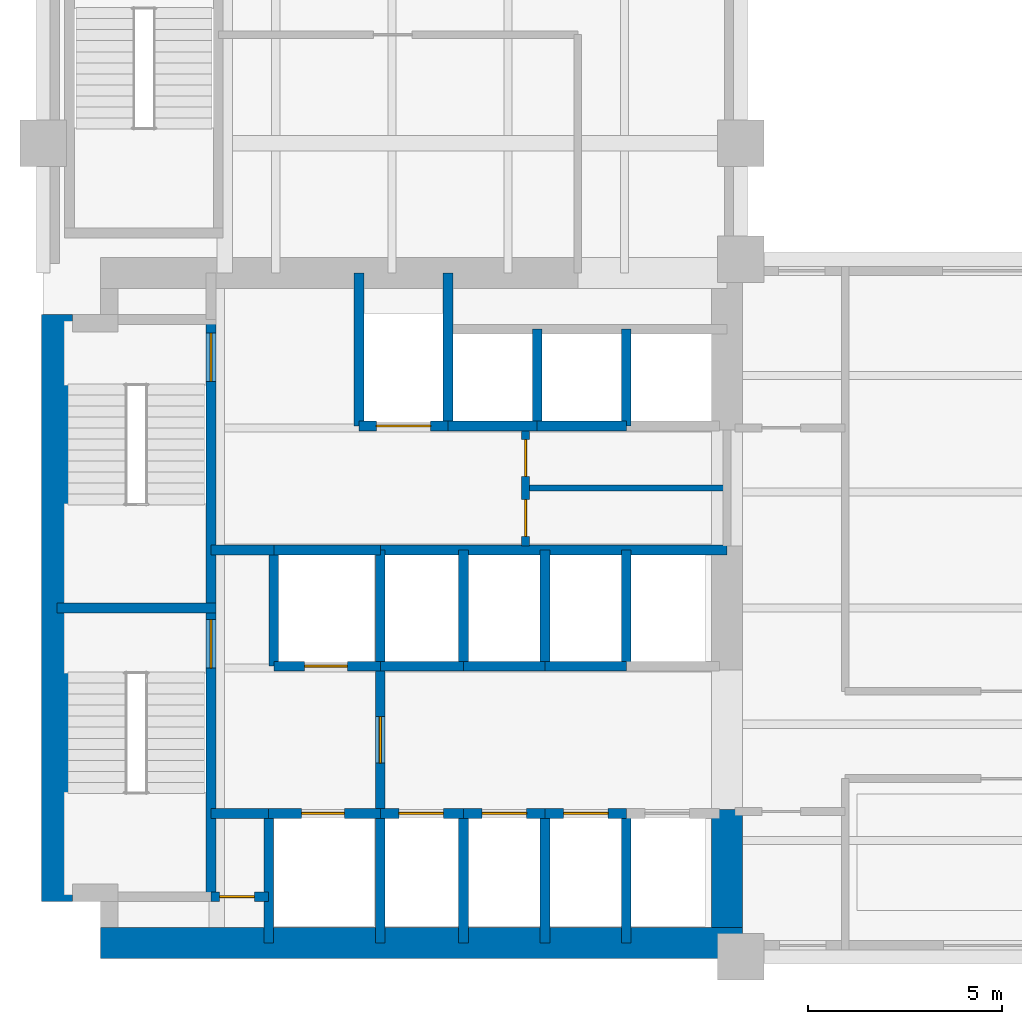
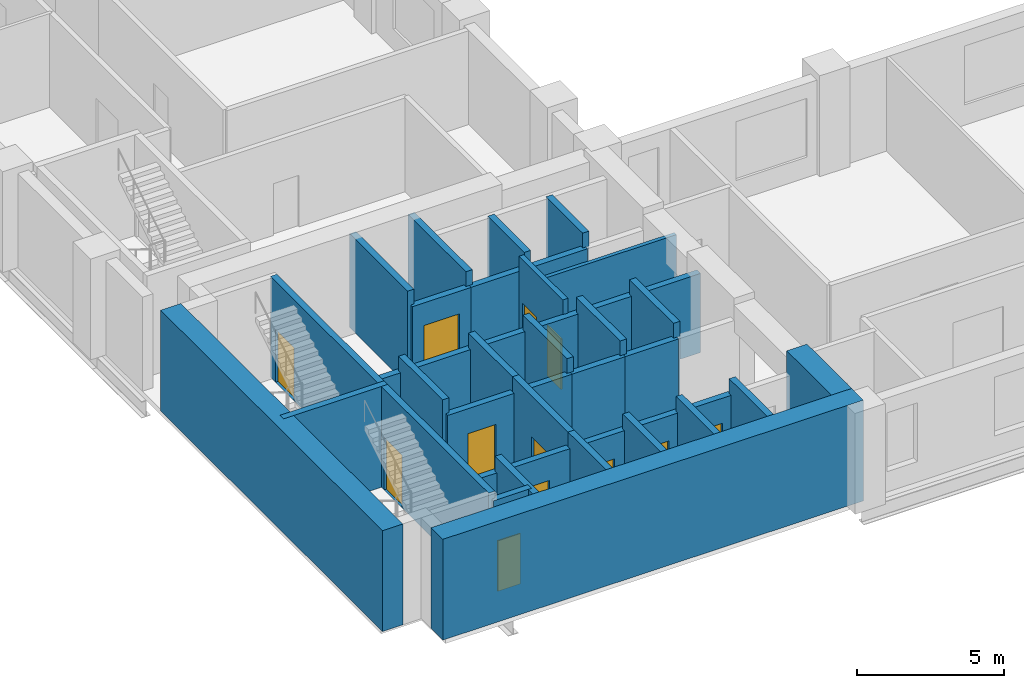
# One storey, part 3 of 7: 39 walls, 12 doors, 12 openings.
"""IFC4 building model written with IfcOpenShell, lengths in metres."""

from ifc_helpers import new_model, si_unit, direction, frame, frame_2d, origin, place, context, subcontext, project, spatial, rectangle, extrude, material, layer, layer_set, type_object, element, fill, save


model = new_model("IFC4")

# Units and contexts
model_context = context("Model", 3, precision=1e-05, world=origin(), true_north=direction((0.0, 1.0)))
body_context = subcontext(model_context, "Body", "Model", "MODEL_VIEW")
ifc_project = project(units=[si_unit("LENGTHUNIT", "METRE"), si_unit("AREAUNIT", "SQUARE_METRE"), si_unit("VOLUMEUNIT", "CUBIC_METRE"), si_unit("PLANEANGLEUNIT", "RADIAN"), si_unit("MASSUNIT", "GRAM", prefix="KILO")], contexts=[model_context])

# Site, building, storey
site_placement = place(None, origin())
site = spatial("IfcSite", under=ifc_project, at=site_placement, CompositionType="ELEMENT")
building_placement = place(site_placement, origin())
building = spatial("IfcBuilding", under=site, at=building_placement, Name="Mawjdan Bourse Tower", CompositionType="ELEMENT")
storey_placement = place(building_placement, frame((0.0, 0.0, 80.39990234375)))
storey = spatial("IfcBuildingStorey", under=building, at=storey_placement, Name="L18", CompositionType="ELEMENT", Elevation=80.39990234375)

# Wall, openings, doors
ifc_material_1 = material(Name="Gypsum Fireboard Assembly")
ifc_layer_1 = layer(ifc_material_1, 0.199951171875)
ifc_layer_set_1 = layer_set([ifc_layer_1], Name="Gypsum Fireboard Assembly")
wall_type_1 = type_object("IfcWallType", Name="WL-CMP-200", PredefinedType="PARTITIONING", material=ifc_layer_set_1)
wall_1_placement = place(storey_placement, frame((18.449951171875, 13.60009765625, 0.0), z_axis=(0.0, 0.0, 1.0), x_axis=(0.0, 1.0, 0.0)))
wall_1 = element("IfcWall", 1, at=wall_1_placement, inside=storey, type_object=wall_type_1, Name="L18 Core Restroom West Wall", PredefinedType="PARTITIONING", context=body_context, shape_type="SweptSolid", body=[
    extrude(rectangle(XDim=3.0, YDim=0.199951171875, at=frame_2d((1.5, 0.0))), origin(), (0.0, 0.0, 1.0), 3.91015625),
])
opening_1_placement = place(wall_1_placement, frame((0.25, 0.0, 0.0)))
opening_1 = element("IfcOpeningElement", 2, at=opening_1_placement, cuts=wall_1, Name="Opening D-L18-14", PredefinedType="OPENING", context=body_context, shape_type="SweptSolid", body=[
    extrude(rectangle(XDim=0.949951171875, YDim=2.10009765625, at=frame_2d((0.47509765625, 1.050048828125))), frame((0.0, 0.10986328125, 0.0), z_axis=(0.0, -1.0, 0.0), x_axis=(1.0, 0.0, 0.0)), (0.0, 0.0, 1.0), 0.219970703125),
])
opening_2_placement = place(wall_1_placement, frame((1.800048828125, 0.0, 0.0)))
opening_2 = element("IfcOpeningElement", 3, at=opening_2_placement, cuts=wall_1, Name="Opening D-L18-15", PredefinedType="OPENING", context=body_context, shape_type="SweptSolid", body=[
    extrude(rectangle(XDim=0.949951171875, YDim=2.10009765625, at=frame_2d((0.47509765625, 1.050048828125))), frame((0.0, 0.10986328125, 0.0), z_axis=(0.0, -1.0, 0.0), x_axis=(1.0, 0.0, 0.0)), (0.0, 0.0, 1.0), 0.219970703125),
])
ifc_material_2 = material(Name="Moisture-Resistant Laminate Timber", Category="wood")
door_type_1 = type_object("IfcDoorType", Name="DR-WET-0950", OperationType="NOTDEFINED", PredefinedType="DOOR", material=ifc_material_2)
door_1_placement = place(opening_1_placement, origin())
door_1 = element("IfcDoor", 4, at=door_1_placement, inside=storey, type_object=door_type_1, Name="L18 Accessible WC Entry Door D-L18-14", OperationType="SINGLE_SWING_LEFT", OverallHeight=2.10009765625, OverallWidth=0.949951171875, PredefinedType="DOOR", context=body_context, shape_type="SweptSolid", body=[
    extrude(rectangle(XDim=0.949951171875, YDim=2.10009765625, at=frame_2d((0.47509765625, 1.050048828125))), frame((0.0, 0.02490234375, 0.0), z_axis=(0.0, -1.0, 0.0), x_axis=(1.0, 0.0, 0.0)), (0.0, 0.0, 1.0), 0.050048828125),
])
fill(opening_1, door_1)
door_2_placement = place(opening_2_placement, origin())
door_2 = element("IfcDoor", 5, at=door_2_placement, inside=storey, type_object=door_type_1, Name="L18 Female Restroom Entry Door D-L18-15", OperationType="SINGLE_SWING_RIGHT", OverallHeight=2.10009765625, OverallWidth=0.949951171875, PredefinedType="DOOR", context=body_context, shape_type="SweptSolid", body=[
    extrude(rectangle(XDim=0.949951171875, YDim=2.10009765625, at=frame_2d((0.47509765625, 1.050048828125))), frame((0.0, 0.02490234375, 0.0), z_axis=(0.0, -1.0, 0.0), x_axis=(1.0, 0.0, 0.0)), (0.0, 0.0, 1.0), 0.050048828125),
])
fill(opening_2, door_2)

# Walls
ifc_material_3 = material(Name="Concrete C80/95", Category="concrete")
ifc_layer_2 = layer(ifc_material_3, 0.800048828125)
ifc_layer_set_2 = layer_set([ifc_layer_2], Name="Concrete C80/95")
wall_type_2 = type_object("IfcWallType", Name="WL-CORE-800", PredefinedType="SHEAR", material=ifc_layer_set_2)
wall_2_placement = place(storey_placement, frame((7.47509765625, 3.35009765625, 0.0), z_axis=(0.0, 0.0, 1.0), x_axis=(1.0, 0.0, 0.0)))
element("IfcWall", 6, at=wall_2_placement, inside=storey, type_object=wall_type_2, Name="L18 Rear Core Shear Wall S", PredefinedType="SHEAR", context=body_context, shape_type="SweptSolid", body=[
    extrude(rectangle(XDim=16.574951171875, YDim=0.800048828125, at=frame_2d((8.28759765625, 0.0))), origin(), (0.0, 0.0, 1.0), 4.2001953125),
])
wall_3_placement = place(storey_placement, frame((6.35009765625, 4.425048828125, 0.0), z_axis=(0.0, 0.0, 1.0), x_axis=(0.0, 1.0, 0.0)))
element("IfcWall", 7, at=wall_3_placement, inside=storey, type_object=wall_type_2, Name="L18 Rear Core Shear Wall W", PredefinedType="SHEAR", context=body_context, shape_type="SweptSolid", body=[
    extrude(rectangle(XDim=15.14990234375, YDim=0.800048828125, at=frame_2d((7.574951171875, 0.0))), origin(), (0.0, 0.0, 1.0), 4.2001953125),
])
wall_4_placement = place(storey_placement, frame((23.64990234375, 3.75, 0.0), z_axis=(0.0, 0.0, 1.0), x_axis=(0.0, 1.0, 0.0)))
element("IfcWall", 8, at=wall_4_placement, inside=storey, type_object=wall_type_2, Name="L18 Rear Core Shear Wall E1", PredefinedType="SHEAR", context=body_context, shape_type="SweptSolid", body=[
    extrude(rectangle(XDim=3.050048828125, YDim=0.800048828125, at=frame_2d((1.52490234375, 0.0))), origin(), (0.0, 0.0, 1.0), 4.2001953125),
])
ifc_material_4 = material(Name="Gypsum Acoustic Partition")
ifc_layer_3 = layer(ifc_material_4, 0.14990234375)
ifc_layer_set_3 = layer_set([ifc_layer_3], Name="Gypsum Acoustic Partition")
wall_type_3 = type_object("IfcWallType", Name="WL-PRT-150", PredefinedType="PARTITIONING", material=ifc_layer_set_3)
wall_5_placement = place(storey_placement, frame((18.449951171875, 15.10009765625, 0.0), z_axis=(0.0, 0.0, 1.0), x_axis=(1.0, 0.0, 0.0)))
element("IfcWall", 9, at=wall_5_placement, inside=storey, type_object=wall_type_3, Name="L18 Core Restroom Horizontal Split", PredefinedType="PARTITIONING", context=body_context, shape_type="SweptSolid", body=[
    extrude(rectangle(XDim=5.199951171875, YDim=0.14990234375, at=frame_2d((2.60009765625, 0.0))), origin(), (0.0, 0.0, 1.0), 3.91015625),
])

# Wall, opening, door
ifc_material_5 = material(Name="Concrete C50/60", Category="concrete")
ifc_layer_4 = layer(ifc_material_5, 0.25)
ifc_layer_set_4 = layer_set([ifc_layer_4], Name="Concrete C50/60")
wall_type_4 = type_object("IfcWallType", Name="WL-SHFT-250", PredefinedType="PARTITIONING", material=ifc_layer_set_4)
wall_6_placement = place(storey_placement, frame((10.330078125, 4.550048828125, 0.0), z_axis=(0.0, 0.0, 1.0), x_axis=(1.0, 0.0, 0.0)))
wall_6 = element("IfcWall", 10, at=wall_6_placement, inside=storey, type_object=wall_type_4, Name="L18 SW Riser North Wall", PredefinedType="PARTITIONING", context=body_context, shape_type="SweptSolid", body=[
    extrude(rectangle(XDim=1.489990234375, YDim=0.25, at=frame_2d((0.7451171875, 0.0))), origin(), (0.0, 0.0, 1.0), 3.91015625),
])
opening_3_placement = place(wall_6_placement, frame((0.219970703125, 0.0, 0.0)))
opening_3 = element("IfcOpeningElement", 11, at=opening_3_placement, cuts=wall_6, Name="Opening RD-L18-03", PredefinedType="OPENING", context=body_context, shape_type="SweptSolid", body=[
    extrude(rectangle(XDim=0.89990234375, YDim=2.10009765625, at=frame_2d((0.449951171875, 1.050048828125))), frame((0.0, 0.135009765625, 0.0), z_axis=(0.0, -1.0, 0.0), x_axis=(1.0, 0.0, 0.0)), (0.0, 0.0, 1.0), 0.27001953125),
])
ifc_material_6 = material(Name="Fire-Rated Steel Access Leaf", Category="steel")
door_type_2 = type_object("IfcDoorType", Name="FD-RSR-0900", OperationType="NOTDEFINED", PredefinedType="TRAPDOOR", material=ifc_material_6)
door_3_placement = place(opening_3_placement, origin())
door_3 = element("IfcDoor", 12, at=door_3_placement, inside=storey, type_object=door_type_2, Name="L18 Electrical Riser Access Door RD-L18-03", OperationType="SINGLE_SWING_LEFT", OverallHeight=2.10009765625, OverallWidth=0.89990234375, PredefinedType="TRAPDOOR", context=body_context, shape_type="SweptSolid", body=[
    extrude(rectangle(XDim=0.89990234375, YDim=2.10009765625, at=frame_2d((0.449951171875, 1.050048828125))), frame((0.0, 0.02490234375, 0.0), z_axis=(0.0, -1.0, 0.0), x_axis=(1.0, 0.0, 0.0)), (0.0, 0.0, 1.0), 0.050048828125),
])
fill(opening_3, door_3)

# Wall
wall_7_placement = place(storey_placement, frame((11.820068359375, 3.35009765625, 0.0), z_axis=(0.0, 0.0, 1.0), x_axis=(0.0, 1.0, 0.0)))
element("IfcWall", 13, at=wall_7_placement, inside=storey, type_object=wall_type_4, Name="L18 SW Riser & FFL01 West Wall", PredefinedType="PARTITIONING", context=body_context, shape_type="SweptSolid", body=[
    extrude(rectangle(XDim=3.349853515625, YDim=0.25, at=frame_2d((1.6748046875, 0.0))), origin(), (0.0, 0.0, 1.0), 3.91015625),
])

# Wall, opening, door
wall_8_placement = place(storey_placement, frame((11.820068359375, 6.699951171875, 0.0), z_axis=(0.0, 0.0, 1.0), x_axis=(1.0, 0.0, 0.0)))
wall_8 = element("IfcWall", 14, at=wall_8_placement, inside=storey, type_object=wall_type_4, Name="L18 FFL-01 Front Shaft Wall", PredefinedType="PARTITIONING", context=body_context, shape_type="SweptSolid", body=[
    extrude(rectangle(XDim=2.8798828125, YDim=0.25, at=frame_2d((1.43994140625, 0.0))), origin(), (0.0, 0.0, 1.0), 3.293212890625),
])
opening_4_placement = place(wall_8_placement, frame((0.85009765625, 0.0, 0.0)))
opening_4 = element("IfcOpeningElement", 15, at=opening_4_placement, cuts=wall_8, Name="Opening LD-L18-05", PredefinedType="OPENING", context=body_context, shape_type="SweptSolid", body=[
    extrude(rectangle(XDim=1.10009765625, YDim=2.25, at=frame_2d((0.550048828125, 1.125))), frame((0.0, 0.135009765625, 0.0), z_axis=(0.0, -1.0, 0.0), x_axis=(1.0, 0.0, 0.0)), (0.0, 0.0, 1.0), 0.27001953125),
])
ifc_material_7 = material(Name="Brushed Stainless Steel", Category="steel")
door_type_3 = type_object("IfcDoorType", Name="LD-FFL-1100", OperationType="DOUBLE_DOOR_SLIDING", PredefinedType="DOOR", material=ifc_material_7)
door_4_placement = place(opening_4_placement, origin())
door_4 = element("IfcDoor", 16, at=door_4_placement, inside=storey, type_object=door_type_3, Name="L18 Firefighting Lift FFL-01 Landing Door LD-L18-05", OperationType="DOUBLE_DOOR_SLIDING", OverallHeight=2.25, OverallWidth=1.10009765625, PredefinedType="DOOR", context=body_context, shape_type="SweptSolid", body=[
    extrude(rectangle(XDim=1.10009765625, YDim=2.25, at=frame_2d((0.550048828125, 1.125))), frame((0.0, 0.02490234375, 0.0), z_axis=(0.0, -1.0, 0.0), x_axis=(1.0, 0.0, 0.0)), (0.0, 0.0, 1.0), 0.050048828125),
])
fill(opening_4, door_4)

# Wall
wall_9_placement = place(storey_placement, frame((14.699951171875, 3.35009765625, 0.0), z_axis=(0.0, 0.0, 1.0), x_axis=(0.0, 1.0, 0.0)))
element("IfcWall", 17, at=wall_9_placement, inside=storey, type_object=wall_type_4, Name="L18 FFL-01 East Shaft Wall", PredefinedType="PARTITIONING", context=body_context, shape_type="SweptSolid", body=[
    extrude(rectangle(XDim=3.349853515625, YDim=0.25, at=frame_2d((1.6748046875, 0.0))), origin(), (0.0, 0.0, 1.0), 3.91015625),
])

# Wall, opening, door
wall_10_placement = place(storey_placement, frame((11.949951171875, 10.5, 0.0), z_axis=(0.0, 0.0, 1.0), x_axis=(1.0, 0.0, 0.0)))
wall_10 = element("IfcWall", 18, at=wall_10_placement, inside=storey, type_object=wall_type_4, Name="L18 FFL-02 Front Shaft Wall", PredefinedType="PARTITIONING", context=body_context, shape_type="SweptSolid", body=[
    extrude(rectangle(XDim=2.75, YDim=0.25, at=frame_2d((1.375, 0.0))), origin(), (0.0, 0.0, 1.0), 3.293212890625),
])
opening_5_placement = place(wall_10_placement, frame((0.800048828125, 0.0, 0.0)))
opening_5 = element("IfcOpeningElement", 19, at=opening_5_placement, cuts=wall_10, Name="Opening LD-L18-06", PredefinedType="OPENING", context=body_context, shape_type="SweptSolid", body=[
    extrude(rectangle(XDim=1.10009765625, YDim=2.25, at=frame_2d((0.550048828125, 1.125))), frame((0.0, 0.135009765625, 0.0), z_axis=(0.0, -1.0, 0.0), x_axis=(1.0, 0.0, 0.0)), (0.0, 0.0, 1.0), 0.27001953125),
])
door_5_placement = place(opening_5_placement, origin())
door_5 = element("IfcDoor", 20, at=door_5_placement, inside=storey, type_object=door_type_3, Name="L18 Firefighting Lift FFL-02 Landing Door LD-L18-06", OperationType="DOUBLE_DOOR_SLIDING", OverallHeight=2.25, OverallWidth=1.10009765625, PredefinedType="DOOR", context=body_context, shape_type="SweptSolid", body=[
    extrude(rectangle(XDim=1.10009765625, YDim=2.25, at=frame_2d((0.550048828125, 1.125))), frame((0.0, 0.02490234375, 0.0), z_axis=(0.0, -1.0, 0.0), x_axis=(1.0, 0.0, 0.0)), (0.0, 0.0, 1.0), 0.050048828125),
])
fill(opening_5, door_5)

# Walls
wall_11_placement = place(storey_placement, frame((11.949951171875, 10.5, 0.0), z_axis=(0.0, 0.0, 1.0), x_axis=(0.0, 1.0, 0.0)))
element("IfcWall", 21, at=wall_11_placement, inside=storey, type_object=wall_type_4, Name="L18 FFL-02 West Shaft Wall", PredefinedType="PARTITIONING", context=body_context, shape_type="SweptSolid", body=[
    extrude(rectangle(XDim=3.0, YDim=0.25, at=frame_2d((1.5, 0.0))), origin(), (0.0, 0.0, 1.0), 3.91015625),
])
wall_12_placement = place(storey_placement, frame((11.949951171875, 13.5, 0.0), z_axis=(0.0, 0.0, 1.0), x_axis=(1.0, 0.0, 0.0)))
element("IfcWall", 22, at=wall_12_placement, inside=storey, type_object=wall_type_4, Name="L18 FFL-02 North Shaft Wall", PredefinedType="PARTITIONING", context=body_context, shape_type="SweptSolid", body=[
    extrude(rectangle(XDim=2.75, YDim=0.25, at=frame_2d((1.375, 0.0))), origin(), (0.0, 0.0, 1.0), 3.293212890625),
])
wall_13_placement = place(storey_placement, frame((14.699951171875, 10.5, 0.0), z_axis=(0.0, 0.0, 1.0), x_axis=(0.0, 1.0, 0.0)))
element("IfcWall", 23, at=wall_13_placement, inside=storey, type_object=wall_type_4, Name="L18 FFL-02 East Shaft Wall", PredefinedType="PARTITIONING", context=body_context, shape_type="SweptSolid", body=[
    extrude(rectangle(XDim=3.0, YDim=0.25, at=frame_2d((1.5, 0.0))), origin(), (0.0, 0.0, 1.0), 3.91015625),
])

# Wall, opening, door
wall_14_placement = place(storey_placement, frame((14.699951171875, 6.699951171875, 0.0), z_axis=(0.0, 0.0, 1.0), x_axis=(0.0, 1.0, 0.0)))
wall_14 = element("IfcWall", 24, at=wall_14_placement, inside=storey, type_object=wall_type_4, Name="L18 Firefighting Lobby East Compartment Wall", PredefinedType="PARTITIONING", context=body_context, shape_type="SweptSolid", body=[
    extrude(rectangle(XDim=3.800048828125, YDim=0.25, at=frame_2d((1.89990234375, 0.0))), origin(), (0.0, 0.0, 1.0), 3.91015625),
])
opening_6_placement = place(wall_14_placement, frame((1.300048828125, 0.0, 0.0)))
opening_6 = element("IfcOpeningElement", 25, at=opening_6_placement, cuts=wall_14, Name="Opening FD-L18-07", PredefinedType="OPENING", context=body_context, shape_type="SweptSolid", body=[
    extrude(rectangle(XDim=1.199951171875, YDim=2.199951171875, at=frame_2d((0.60009765625, 1.10009765625))), frame((0.0, 0.135009765625, 0.0), z_axis=(0.0, -1.0, 0.0), x_axis=(1.0, 0.0, 0.0)), (0.0, 0.0, 1.0), 0.27001953125),
])
ifc_material_8 = material(Name="Fire-Rated Steel Leaf", Category="steel")
door_type_4 = type_object("IfcDoorType", Name="FD-FFL-1200", OperationType="NOTDEFINED", PredefinedType="DOOR", material=ifc_material_8)
door_6_placement = place(opening_6_placement, origin())
door_6 = element("IfcDoor", 26, at=door_6_placement, inside=storey, type_object=door_type_4, Name="L18 Firefighting Lobby East Smoke Door FD-L18-07", OperationType="SINGLE_SWING_LEFT", OverallHeight=2.199951171875, OverallWidth=1.199951171875, PredefinedType="DOOR", context=body_context, shape_type="SweptSolid", body=[
    extrude(rectangle(XDim=1.199951171875, YDim=2.199951171875, at=frame_2d((0.60009765625, 1.10009765625))), frame((0.0, 0.02490234375, 0.0), z_axis=(0.0, -1.0, 0.0), x_axis=(1.0, 0.0, 0.0)), (0.0, 0.0, 1.0), 0.050048828125),
])
fill(opening_6, door_6)

# Walls
wall_15_placement = place(storey_placement, frame((10.330078125, 13.5, 0.0), z_axis=(0.0, 0.0, 1.0), x_axis=(1.0, 0.0, 0.0)))
element("IfcWall", 27, at=wall_15_placement, inside=storey, type_object=wall_type_4, Name="L18 Firefighting Lobby North Compartment Wall", PredefinedType="PARTITIONING", context=body_context, shape_type="SweptSolid", body=[
    extrude(rectangle(XDim=1.619873046875, YDim=0.25, at=frame_2d((0.81005859375, 0.0))), origin(), (0.0, 0.0, 1.0), 3.293212890625),
])
wall_16_placement = place(storey_placement, frame((10.330078125, 6.699951171875, 0.0), z_axis=(0.0, 0.0, 1.0), x_axis=(1.0, 0.0, 0.0)))
element("IfcWall", 28, at=wall_16_placement, inside=storey, type_object=wall_type_4, Name="L18 Firefighting Lobby South Closure Wall", PredefinedType="PARTITIONING", context=body_context, shape_type="SweptSolid", body=[
    extrude(rectangle(XDim=1.489990234375, YDim=0.25, at=frame_2d((0.7451171875, 0.0))), origin(), (0.0, 0.0, 1.0), 3.293212890625),
])

# Wall, opening, door
wall_17_placement = place(storey_placement, frame((14.14990234375, 16.699951171875, 0.0), z_axis=(0.0, 0.0, 1.0), x_axis=(1.0, 0.0, 0.0)))
wall_17 = element("IfcWall", 29, at=wall_17_placement, inside=storey, type_object=wall_type_4, Name="L18 SVL-01 Front Shaft Wall", PredefinedType="PARTITIONING", context=body_context, shape_type="SweptSolid", body=[
    extrude(rectangle(XDim=2.300048828125, YDim=0.25, at=frame_2d((1.14990234375, 0.0))), origin(), (0.0, 0.0, 1.0), 3.293212890625),
])
opening_7_placement = place(wall_17_placement, frame((0.449951171875, 0.0, 0.0)))
opening_7 = element("IfcOpeningElement", 30, at=opening_7_placement, cuts=wall_17, Name="Opening LD-L18-09", PredefinedType="OPENING", context=body_context, shape_type="SweptSolid", body=[
    extrude(rectangle(XDim=1.39990234375, YDim=2.35009765625, at=frame_2d((0.699951171875, 1.175048828125))), frame((0.0, 0.135009765625, 0.0), z_axis=(0.0, -1.0, 0.0), x_axis=(1.0, 0.0, 0.0)), (0.0, 0.0, 1.0), 0.27001953125),
])
ifc_material_9 = material(Name="Heavy-Duty Stainless Steel", Category="steel")
door_type_5 = type_object("IfcDoorType", Name="LD-SRV-1400", OperationType="DOUBLE_DOOR_SLIDING", PredefinedType="DOOR", material=ifc_material_9)
door_7_placement = place(opening_7_placement, origin())
door_7 = element("IfcDoor", 31, at=door_7_placement, inside=storey, type_object=door_type_5, Name="L18 Service Lift SVL-01 Landing Door LD-L18-09", OperationType="DOUBLE_DOOR_SLIDING", OverallHeight=2.35009765625, OverallWidth=1.39990234375, PredefinedType="DOOR", context=body_context, shape_type="SweptSolid", body=[
    extrude(rectangle(XDim=1.39990234375, YDim=2.35009765625, at=frame_2d((0.699951171875, 1.175048828125))), frame((0.0, 0.02490234375, 0.0), z_axis=(0.0, -1.0, 0.0), x_axis=(1.0, 0.0, 0.0)), (0.0, 0.0, 1.0), 0.050048828125),
])
fill(opening_7, door_7)

# Walls
for number, where, z_axis, x_axis, name in (
    (32, (14.14990234375, 16.699951171875, 0.0), (0.0, 0.0, 1.0), (0.0, 1.0, 0.0), "L18 SVL-01 West Shaft Wall"),
    (33, (16.449951171875, 16.699951171875, 0.0), (0.0, 0.0, 1.0), (0.0, 1.0, 0.0), "L18 SVL-01 East Shaft Wall"),
):
    element("IfcWall", number, at=place(storey_placement, frame(where, z_axis=z_axis, x_axis=x_axis)), inside=storey, type_object=wall_type_4, Name=name, PredefinedType="PARTITIONING", context=body_context, shape_type="SweptSolid", body=[
        extrude(rectangle(XDim=3.949951171875, YDim=0.25, at=frame_2d((1.97509765625, 0.0))), origin(), (0.0, 0.0, 1.0), 3.91015625),
    ])
wall_18_placement = place(storey_placement, frame((16.449951171875, 16.699951171875, 0.0), z_axis=(0.0, 0.0, 1.0), x_axis=(1.0, 0.0, 0.0)))
element("IfcWall", 34, at=wall_18_placement, inside=storey, type_object=wall_type_4, Name="L18 PH-01 Front Wall", PredefinedType="PARTITIONING", context=body_context, shape_type="SweptSolid", body=[
    extrude(rectangle(XDim=2.300048828125, YDim=0.25, at=frame_2d((1.14990234375, 0.0))), origin(), (0.0, 0.0, 1.0), 3.293212890625),
])
wall_19_placement = place(storey_placement, frame((18.75, 16.699951171875, 0.0), z_axis=(0.0, 0.0, 1.0), x_axis=(0.0, 1.0, 0.0)))
element("IfcWall", 35, at=wall_19_placement, inside=storey, type_object=wall_type_4, Name="L18 PH-01 Divider Wall", PredefinedType="PARTITIONING", context=body_context, shape_type="SweptSolid", body=[
    extrude(rectangle(XDim=2.5, YDim=0.25, at=frame_2d((1.25, 0.0))), origin(), (0.0, 0.0, 1.0), 3.91015625),
])
wall_20_placement = place(storey_placement, frame((18.75, 16.699951171875, 0.0), z_axis=(0.0, 0.0, 1.0), x_axis=(1.0, 0.0, 0.0)))
element("IfcWall", 36, at=wall_20_placement, inside=storey, type_object=wall_type_4, Name="L18 PH-02 Front Wall", PredefinedType="PARTITIONING", context=body_context, shape_type="SweptSolid", body=[
    extrude(rectangle(XDim=2.300048828125, YDim=0.25, at=frame_2d((1.14990234375, 0.0))), origin(), (0.0, 0.0, 1.0), 3.293212890625),
])
wall_21_placement = place(storey_placement, frame((21.050048828125, 16.699951171875, 0.0), z_axis=(0.0, 0.0, 1.0), x_axis=(0.0, 1.0, 0.0)))
element("IfcWall", 37, at=wall_21_placement, inside=storey, type_object=wall_type_4, Name="L18 PH-02 Divider Wall", PredefinedType="PARTITIONING", context=body_context, shape_type="SweptSolid", body=[
    extrude(rectangle(XDim=2.5, YDim=0.25, at=frame_2d((1.25, 0.0))), origin(), (0.0, 0.0, 1.0), 3.91015625),
])

# Wall, opening, door
wall_22_placement = place(storey_placement, frame((14.699951171875, 6.699951171875, 0.0), z_axis=(0.0, 0.0, 1.0), x_axis=(1.0, 0.0, 0.0)))
wall_22 = element("IfcWall", 38, at=wall_22_placement, inside=storey, type_object=wall_type_4, Name="L18 PL-04 Front Wall", PredefinedType="PARTITIONING", context=body_context, shape_type="SweptSolid", body=[
    extrude(rectangle(XDim=2.150146484375, YDim=0.25, at=frame_2d((1.0751953125, 0.0))), origin(), (0.0, 0.0, 1.0), 3.293212890625),
])
opening_8_placement = place(wall_22_placement, frame((0.47998046875, 0.0, 0.0)))
opening_8 = element("IfcOpeningElement", 39, at=opening_8_placement, cuts=wall_22, Name="Opening LD-L18-10", PredefinedType="OPENING", context=body_context, shape_type="SweptSolid", body=[
    extrude(rectangle(XDim=1.14990234375, YDim=2.25, at=frame_2d((0.574951171875, 1.125))), frame((0.0, 0.135009765625, 0.0), z_axis=(0.0, -1.0, 0.0), x_axis=(1.0, 0.0, 0.0)), (0.0, 0.0, 1.0), 0.27001953125),
])
door_type_6 = type_object("IfcDoorType", Name="LD-PAS-1150", OperationType="DOUBLE_DOOR_SLIDING", PredefinedType="DOOR", material=ifc_material_7)
door_8_placement = place(opening_8_placement, origin())
door_8 = element("IfcDoor", 40, at=door_8_placement, inside=storey, type_object=door_type_6, Name="L18 Lift PL-04 Landing Door LD-L18-10", OperationType="DOUBLE_DOOR_SLIDING", OverallHeight=2.25, OverallWidth=1.14990234375, PredefinedType="DOOR", context=body_context, shape_type="SweptSolid", body=[
    extrude(rectangle(XDim=1.14990234375, YDim=2.25, at=frame_2d((0.574951171875, 1.125))), frame((0.0, 0.02490234375, 0.0), z_axis=(0.0, -1.0, 0.0), x_axis=(1.0, 0.0, 0.0)), (0.0, 0.0, 1.0), 0.050048828125),
])
fill(opening_8, door_8)

# Wall
wall_23_placement = place(storey_placement, frame((16.85009765625, 3.35009765625, 0.0), z_axis=(0.0, 0.0, 1.0), x_axis=(0.0, 1.0, 0.0)))
element("IfcWall", 41, at=wall_23_placement, inside=storey, type_object=wall_type_4, Name="L18 PL-04 Divider Wall", PredefinedType="PARTITIONING", context=body_context, shape_type="SweptSolid", body=[
    extrude(rectangle(XDim=3.349853515625, YDim=0.25, at=frame_2d((1.6748046875, 0.0))), origin(), (0.0, 0.0, 1.0), 3.91015625),
])

# Wall, opening, door
wall_24_placement = place(storey_placement, frame((16.85009765625, 6.699951171875, 0.0), z_axis=(0.0, 0.0, 1.0), x_axis=(1.0, 0.0, 0.0)))
wall_24 = element("IfcWall", 42, at=wall_24_placement, inside=storey, type_object=wall_type_4, Name="L18 PL-01 Front Wall", PredefinedType="PARTITIONING", context=body_context, shape_type="SweptSolid", body=[
    extrude(rectangle(XDim=2.099853515625, YDim=0.25, at=frame_2d((1.0498046875, 0.0))), origin(), (0.0, 0.0, 1.0), 3.293212890625),
])
opening_9_placement = place(wall_24_placement, frame((0.47998046875, 0.0, 0.0)))
opening_9 = element("IfcOpeningElement", 43, at=opening_9_placement, cuts=wall_24, Name="Opening LD-L18-11", PredefinedType="OPENING", context=body_context, shape_type="SweptSolid", body=[
    extrude(rectangle(XDim=1.14990234375, YDim=2.25, at=frame_2d((0.574951171875, 1.125))), frame((0.0, 0.135009765625, 0.0), z_axis=(0.0, -1.0, 0.0), x_axis=(1.0, 0.0, 0.0)), (0.0, 0.0, 1.0), 0.27001953125),
])
door_9_placement = place(opening_9_placement, origin())
door_9 = element("IfcDoor", 44, at=door_9_placement, inside=storey, type_object=door_type_6, Name="L18 Lift PL-01 Landing Door LD-L18-11", OperationType="DOUBLE_DOOR_SLIDING", OverallHeight=2.25, OverallWidth=1.14990234375, PredefinedType="DOOR", context=body_context, shape_type="SweptSolid", body=[
    extrude(rectangle(XDim=1.14990234375, YDim=2.25, at=frame_2d((0.574951171875, 1.125))), frame((0.0, 0.02490234375, 0.0), z_axis=(0.0, -1.0, 0.0), x_axis=(1.0, 0.0, 0.0)), (0.0, 0.0, 1.0), 0.050048828125),
])
fill(opening_9, door_9)

# Wall
wall_25_placement = place(storey_placement, frame((18.949951171875, 3.35009765625, 0.0), z_axis=(0.0, 0.0, 1.0), x_axis=(0.0, 1.0, 0.0)))
element("IfcWall", 45, at=wall_25_placement, inside=storey, type_object=wall_type_4, Name="L18 PL-01 Divider Wall", PredefinedType="PARTITIONING", context=body_context, shape_type="SweptSolid", body=[
    extrude(rectangle(XDim=3.349853515625, YDim=0.25, at=frame_2d((1.6748046875, 0.0))), origin(), (0.0, 0.0, 1.0), 3.91015625),
])

# Wall, opening, door
wall_26_placement = place(storey_placement, frame((18.949951171875, 6.699951171875, 0.0), z_axis=(0.0, 0.0, 1.0), x_axis=(1.0, 0.0, 0.0)))
wall_26 = element("IfcWall", 46, at=wall_26_placement, inside=storey, type_object=wall_type_4, Name="L18 PL-02 Front Wall", PredefinedType="PARTITIONING", context=body_context, shape_type="SweptSolid", body=[
    extrude(rectangle(XDim=2.10009765625, YDim=0.25, at=frame_2d((1.050048828125, 0.0))), origin(), (0.0, 0.0, 1.0), 3.293212890625),
])
opening_10_placement = place(wall_26_placement, frame((0.47998046875, 0.0, 0.0)))
opening_10 = element("IfcOpeningElement", 47, at=opening_10_placement, cuts=wall_26, Name="Opening LD-L18-12", PredefinedType="OPENING", context=body_context, shape_type="SweptSolid", body=[
    extrude(rectangle(XDim=1.14990234375, YDim=2.25, at=frame_2d((0.574951171875, 1.125))), frame((0.0, 0.135009765625, 0.0), z_axis=(0.0, -1.0, 0.0), x_axis=(1.0, 0.0, 0.0)), (0.0, 0.0, 1.0), 0.27001953125),
])
door_10_placement = place(opening_10_placement, origin())
door_10 = element("IfcDoor", 48, at=door_10_placement, inside=storey, type_object=door_type_6, Name="L18 Lift PL-02 Landing Door LD-L18-12", OperationType="DOUBLE_DOOR_SLIDING", OverallHeight=2.25, OverallWidth=1.14990234375, PredefinedType="DOOR", context=body_context, shape_type="SweptSolid", body=[
    extrude(rectangle(XDim=1.14990234375, YDim=2.25, at=frame_2d((0.574951171875, 1.125))), frame((0.0, 0.02490234375, 0.0), z_axis=(0.0, -1.0, 0.0), x_axis=(1.0, 0.0, 0.0)), (0.0, 0.0, 1.0), 0.050048828125),
])
fill(opening_10, door_10)

# Walls
wall_27_placement = place(storey_placement, frame((21.050048828125, 3.35009765625, 0.0), z_axis=(0.0, 0.0, 1.0), x_axis=(0.0, 1.0, 0.0)))
element("IfcWall", 49, at=wall_27_placement, inside=storey, type_object=wall_type_4, Name="L18 PL-02 Divider Wall", PredefinedType="PARTITIONING", context=body_context, shape_type="SweptSolid", body=[
    extrude(rectangle(XDim=3.349853515625, YDim=0.25, at=frame_2d((1.6748046875, 0.0))), origin(), (0.0, 0.0, 1.0), 3.91015625),
])
wall_28_placement = place(storey_placement, frame((14.699951171875, 10.5, 0.0), z_axis=(0.0, 0.0, 1.0), x_axis=(1.0, 0.0, 0.0)))
element("IfcWall", 50, at=wall_28_placement, inside=storey, type_object=wall_type_4, Name="L18 PM-01 Front Wall", PredefinedType="PARTITIONING", context=body_context, shape_type="SweptSolid", body=[
    extrude(rectangle(XDim=2.150146484375, YDim=0.25, at=frame_2d((1.0751953125, 0.0))), origin(), (0.0, 0.0, 1.0), 3.293212890625),
])
wall_29_placement = place(storey_placement, frame((16.85009765625, 10.5, 0.0), z_axis=(0.0, 0.0, 1.0), x_axis=(0.0, 1.0, 0.0)))
element("IfcWall", 51, at=wall_29_placement, inside=storey, type_object=wall_type_4, Name="L18 PM-01 Divider Wall", PredefinedType="PARTITIONING", context=body_context, shape_type="SweptSolid", body=[
    extrude(rectangle(XDim=3.0, YDim=0.25, at=frame_2d((1.5, 0.0))), origin(), (0.0, 0.0, 1.0), 3.91015625),
])
wall_30_placement = place(storey_placement, frame((16.85009765625, 10.5, 0.0), z_axis=(0.0, 0.0, 1.0), x_axis=(1.0, 0.0, 0.0)))
element("IfcWall", 52, at=wall_30_placement, inside=storey, type_object=wall_type_4, Name="L18 PM-02 Front Wall", PredefinedType="PARTITIONING", context=body_context, shape_type="SweptSolid", body=[
    extrude(rectangle(XDim=2.099853515625, YDim=0.25, at=frame_2d((1.0498046875, 0.0))), origin(), (0.0, 0.0, 1.0), 3.293212890625),
])
wall_31_placement = place(storey_placement, frame((18.949951171875, 10.5, 0.0), z_axis=(0.0, 0.0, 1.0), x_axis=(0.0, 1.0, 0.0)))
element("IfcWall", 53, at=wall_31_placement, inside=storey, type_object=wall_type_4, Name="L18 PM-02 Divider Wall", PredefinedType="PARTITIONING", context=body_context, shape_type="SweptSolid", body=[
    extrude(rectangle(XDim=3.0, YDim=0.25, at=frame_2d((1.5, 0.0))), origin(), (0.0, 0.0, 1.0), 3.91015625),
])
wall_32_placement = place(storey_placement, frame((18.949951171875, 10.5, 0.0), z_axis=(0.0, 0.0, 1.0), x_axis=(1.0, 0.0, 0.0)))
element("IfcWall", 54, at=wall_32_placement, inside=storey, type_object=wall_type_4, Name="L18 PM-03 Front Wall", PredefinedType="PARTITIONING", context=body_context, shape_type="SweptSolid", body=[
    extrude(rectangle(XDim=2.10009765625, YDim=0.25, at=frame_2d((1.050048828125, 0.0))), origin(), (0.0, 0.0, 1.0), 3.293212890625),
])
wall_33_placement = place(storey_placement, frame((21.050048828125, 10.5, 0.0), z_axis=(0.0, 0.0, 1.0), x_axis=(0.0, 1.0, 0.0)))
element("IfcWall", 55, at=wall_33_placement, inside=storey, type_object=wall_type_4, Name="L18 PM-03 Divider Wall", PredefinedType="PARTITIONING", context=body_context, shape_type="SweptSolid", body=[
    extrude(rectangle(XDim=3.0, YDim=0.25, at=frame_2d((1.5, 0.0))), origin(), (0.0, 0.0, 1.0), 3.91015625),
])
wall_34_placement = place(storey_placement, frame((14.699951171875, 13.5, 0.0), z_axis=(0.0, 0.0, 1.0), x_axis=(1.0, 0.0, 0.0)))
element("IfcWall", 56, at=wall_34_placement, inside=storey, type_object=wall_type_4, Name="L18 PM Bank North Shaft Back Wall", PredefinedType="PARTITIONING", context=body_context, shape_type="SweptSolid", body=[
    extrude(rectangle(XDim=8.949951171875, YDim=0.25, at=frame_2d((4.47509765625, 0.0))), origin(), (0.0, 0.0, 1.0), 3.293212890625),
])
ifc_layer_5 = layer(ifc_material_5, 0.25)
ifc_layer_set_5 = layer_set([ifc_layer_5], Name="Concrete C50/60")
wall_type_5 = type_object("IfcWallType", Name="WL-STRW-250", PredefinedType="SHEAR", material=ifc_layer_set_5)
wall_35_placement = place(storey_placement, frame((6.35009765625, 12.0, 0.0), z_axis=(0.0, 0.0, 1.0), x_axis=(1.0, 0.0, 0.0)))
element("IfcWall", 57, at=wall_35_placement, inside=storey, type_object=wall_type_5, Name="L18 Stairwell Dividing Shaft Wall", PredefinedType="SHEAR", context=body_context, shape_type="SweptSolid", body=[
    extrude(rectangle(XDim=4.10498046875, YDim=0.25, at=frame_2d((2.052490234375, 0.0))), origin(), (0.0, 0.0, 1.0), 4.2001953125),
])

# Wall, opening, door
wall_36_placement = place(storey_placement, frame((10.330078125, 4.550048828125, 0.0), z_axis=(0.0, 0.0, 1.0), x_axis=(0.0, 1.0, 0.0)))
wall_36 = element("IfcWall", 58, at=wall_36_placement, inside=storey, type_object=wall_type_5, Name="L18 Stairwell ST1 East Enclosure Wall", PredefinedType="SHEAR", context=body_context, shape_type="SweptSolid", body=[
    extrude(rectangle(XDim=7.449951171875, YDim=0.25, at=frame_2d((3.72509765625, 0.0))), origin(), (0.0, 0.0, 1.0), 4.2001953125),
])
opening_11_placement = place(wall_36_placement, frame((5.89990234375, 0.0, 0.0)))
opening_11 = element("IfcOpeningElement", 59, at=opening_11_placement, cuts=wall_36, Name="Opening SD-L18-01", PredefinedType="OPENING", context=body_context, shape_type="SweptSolid", body=[
    extrude(rectangle(XDim=1.25, YDim=2.199951171875, at=frame_2d((0.625, 1.10009765625))), frame((0.0, 0.135009765625, 0.0), z_axis=(0.0, -1.0, 0.0), x_axis=(1.0, 0.0, 0.0)), (0.0, 0.0, 1.0), 0.27001953125),
])
door_type_7 = type_object("IfcDoorType", Name="FD-ST-1250", OperationType="NOTDEFINED", PredefinedType="DOOR", material=ifc_material_8)
door_11_placement = place(opening_11_placement, origin())
door_11 = element("IfcDoor", 60, at=door_11_placement, inside=storey, type_object=door_type_7, Name="L18 Exit Stair ST1 Fire Door SD-L18-01", OperationType="SINGLE_SWING_LEFT", OverallHeight=2.199951171875, OverallWidth=1.25, PredefinedType="DOOR", context=body_context, shape_type="SweptSolid", body=[
    extrude(rectangle(XDim=1.25, YDim=2.199951171875, at=frame_2d((0.625, 1.10009765625))), frame((0.0, 0.02490234375, 0.0), z_axis=(0.0, -1.0, 0.0), x_axis=(1.0, 0.0, 0.0)), (0.0, 0.0, 1.0), 0.050048828125),
])
fill(opening_11, door_11)

wall_37_placement = place(storey_placement, frame((10.330078125, 12.0, 0.0), z_axis=(0.0, 0.0, 1.0), x_axis=(0.0, 1.0, 0.0)))
wall_37 = element("IfcWall", 61, at=wall_37_placement, inside=storey, type_object=wall_type_5, Name="L18 Stairwell ST2 East Enclosure Wall", PredefinedType="SHEAR", context=body_context, shape_type="SweptSolid", body=[
    extrude(rectangle(XDim=7.449951171875, YDim=0.25, at=frame_2d((3.72509765625, 0.0))), origin(), (0.0, 0.0, 1.0), 4.2001953125),
])
opening_12_placement = place(wall_37_placement, frame((5.85009765625, 0.0, 0.0)))
opening_12 = element("IfcOpeningElement", 62, at=opening_12_placement, cuts=wall_37, Name="Opening SD-L18-02", PredefinedType="OPENING", context=body_context, shape_type="SweptSolid", body=[
    extrude(rectangle(XDim=1.25, YDim=2.199951171875, at=frame_2d((0.625, 1.10009765625))), frame((0.0, 0.135009765625, 0.0), z_axis=(0.0, -1.0, 0.0), x_axis=(1.0, 0.0, 0.0)), (0.0, 0.0, 1.0), 0.27001953125),
])
door_12_placement = place(opening_12_placement, origin())
door_12 = element("IfcDoor", 63, at=door_12_placement, inside=storey, type_object=door_type_7, Name="L18 Exit Stair ST2 Fire Door SD-L18-02", OperationType="SINGLE_SWING_RIGHT", OverallHeight=2.199951171875, OverallWidth=1.25, PredefinedType="DOOR", context=body_context, shape_type="SweptSolid", body=[
    extrude(rectangle(XDim=1.25, YDim=2.199951171875, at=frame_2d((0.625, 1.10009765625))), frame((0.0, 0.02490234375, 0.0), z_axis=(0.0, -1.0, 0.0), x_axis=(1.0, 0.0, 0.0)), (0.0, 0.0, 1.0), 0.050048828125),
])
fill(opening_12, door_12)

save(model, "model.ifc")
